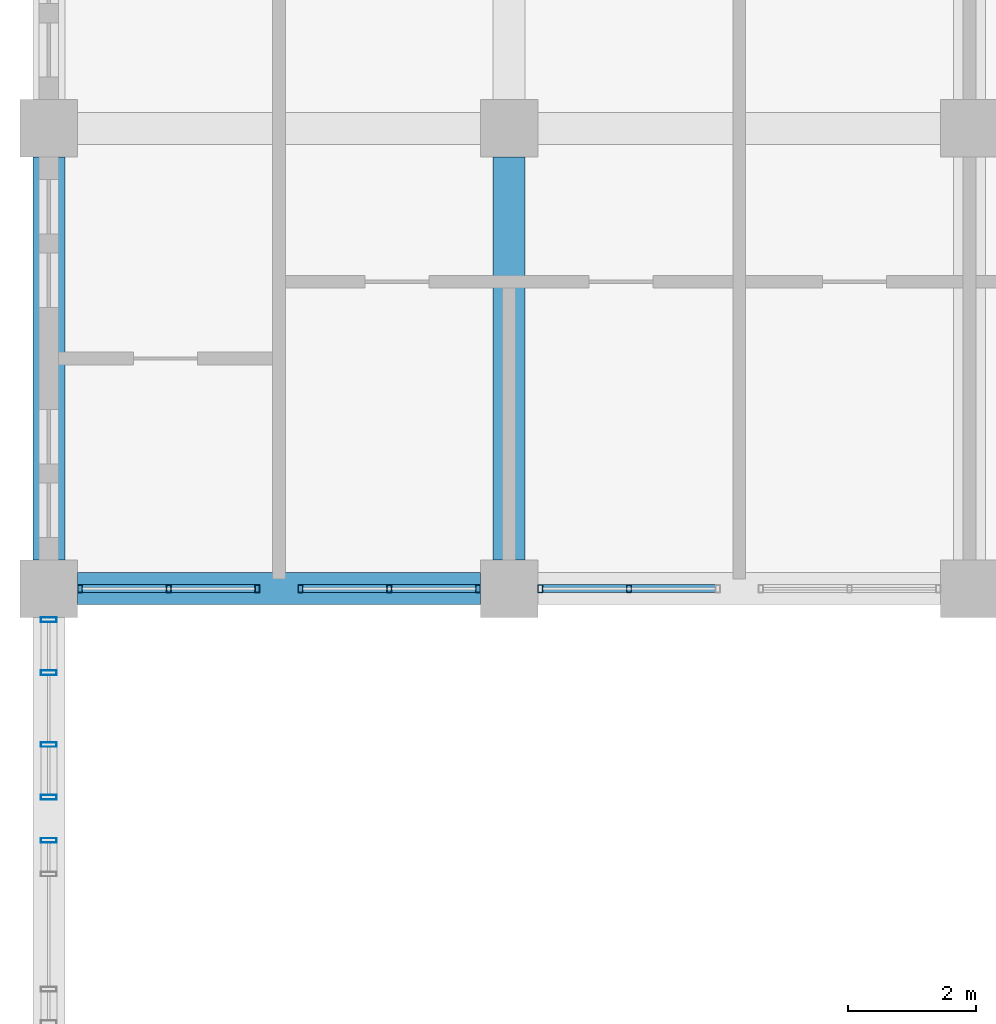
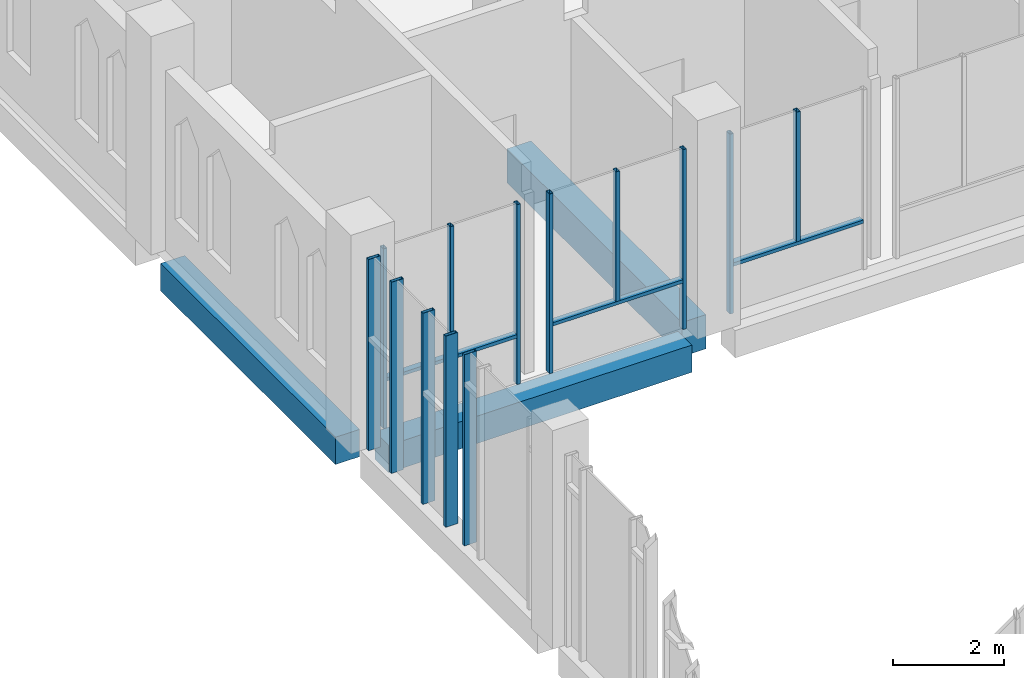
# One storey, part 7 of 39: 16 members, 3 beams, 5 elements without a shape of their own.
"""IFC4 building model written with IfcOpenShell, lengths in metres."""

from ifc_helpers import new_model, si_unit, direction, frame, origin, origin_2d, place, context, subcontext, project, spatial, rectangle, hollow_rectangle, extrude, material, material_profile, profile_set, type_object, element, aggregate, save


model = new_model("IFC4")

# Units and contexts
model_context = context("Model", 3, precision=1e-05, world=origin(), true_north=direction((0.0, 1.0)))
body_context = subcontext(model_context, "Body", "Model", "MODEL_VIEW")
ifc_project = project(units=[si_unit("LENGTHUNIT", "METRE"), si_unit("AREAUNIT", "SQUARE_METRE"), si_unit("VOLUMEUNIT", "CUBIC_METRE"), si_unit("PLANEANGLEUNIT", "RADIAN"), si_unit("MASSUNIT", "GRAM", prefix="KILO")], contexts=[model_context])

# Site, building, storey
site_placement = place(None, origin())
site = spatial("IfcSite", under=ifc_project, at=site_placement, CompositionType="ELEMENT")
building_placement = place(site_placement, origin())
building = spatial("IfcBuilding", under=site, at=building_placement, Name="Silangan Lancet Faculty of Sciences", CompositionType="ELEMENT")
storey_placement = place(building_placement, frame((0.0, 0.0, 26.39990234375)))
storey = spatial("IfcBuildingStorey", under=building, at=storey_placement, Name="L05", CompositionType="ELEMENT", Elevation=26.39990234375)

# Beams
ifc_material_1 = material(Name="Concrete C40/50", Category="concrete")
ifc_material_profile_1 = material_profile(ifc_material_1, rectangle(XDim=0.5, YDim=0.60009765625, at=origin_2d()), Name="RC 500x600")
ifc_profile_set_1 = profile_set([ifc_material_profile_1], Name="Concrete C40/50")
beam_type_1 = type_object("IfcBeamType", Name="BEAM RC 500x600", PredefinedType="BEAM", material=ifc_profile_set_1)
for number, where, z_axis, x_axis, name in (
    (1, (0.449951171875, 36.0, -0.5498046875), (1.0, 0.0, 0.0), (0.0, 1.0, 0.0), "BM-L05-1F-2F"),
    (2, (0.0, 36.449951171875, -0.5498046875), (0.0, 1.0, 0.0), (-1.0, 0.0, 0.0), "BM-L05-1F-1G"),
):
    element("IfcBeam", number, at=place(storey_placement, frame(where, z_axis=z_axis, x_axis=x_axis)), inside=storey, type_object=beam_type_1, Name=name, PredefinedType="BEAM", context=body_context, shape_type="SweptSolid", body=[
        extrude(rectangle(XDim=0.5, YDim=0.60009765625, at=origin_2d()), origin(), (0.0, 0.0, 1.0), 6.300048828125),
    ])
ifc_material_2 = material(Name="Concrete C40/50", Category="concrete")
ifc_material_profile_2 = material_profile(ifc_material_2, rectangle(XDim=0.5, YDim=0.75, at=origin_2d()), Name="RC 500x750")
ifc_profile_set_2 = profile_set([ifc_material_profile_2], Name="Concrete C40/50")
beam_type_2 = type_object("IfcBeamType", Name="BEAM RC 500x750", PredefinedType="BEAM", material=ifc_profile_set_2)
beam_placement = place(storey_placement, frame((7.199951171875, 36.449951171875, -0.625), z_axis=(0.0, 1.0, 0.0), x_axis=(-1.0, 0.0, 0.0)))
element("IfcBeam", 3, at=beam_placement, inside=storey, type_object=beam_type_2, Name="BM-L05-2F-2G", PredefinedType="BEAM", context=body_context, shape_type="SweptSolid", body=[
    extrude(rectangle(XDim=0.5, YDim=0.75, at=origin_2d()), origin(), (0.0, 0.0, 1.0), 6.300048828125),
])

# Curtain wall, members
ifc_material_3 = material(Name="Aluminium framed curtain wall with insulated glass", Category="aluminium")
curtain_wall_type_1 = type_object("IfcCurtainWallType", Name="CW2 Atrium fire-resisting screen", PredefinedType="NOTDEFINED", material=ifc_material_3)
curtain_wall_1_placement = place(storey_placement, origin())
curtain_wall_1 = element("IfcCurtainWall", 4, at=curtain_wall_1_placement, inside=storey, type_object=curtain_wall_type_1, Name="CW2 Atrium north L05 bay 1", PredefinedType="NOTDEFINED")
ifc_material_4 = material(Name="Steel S355J2H", Category="steel")
ifc_material_profile_3 = material_profile(ifc_material_4, hollow_rectangle(XDim=0.074951171875, YDim=0.125, WallThickness=0.0048828125, at=origin_2d()), Name="ST BOX 75x125x5")
ifc_profile_set_3 = profile_set([ifc_material_profile_3], Name="Steel S355J2H")
member_type_1 = type_object("IfcMemberType", Name="CM2 Mullion 75x125", PredefinedType="MULLION", material=ifc_profile_set_3)
member_1_placement = place(storey_placement, frame((0.487548828125, 36.0, 0.0), z_axis=(0.0, 0.0, 1.0), x_axis=(1.0, 0.0, 0.0)))
member_1 = element("IfcMember", 5, at=member_1_placement, type_object=member_type_1, Name="CW2 Atrium north L05 bay 1 mullion 1", PredefinedType="MULLION", context=body_context, shape_type="SweptSolid", body=[
    extrude(hollow_rectangle(XDim=0.074951171875, YDim=0.125, WallThickness=0.0048828125, at=origin_2d()), origin(), (0.0, 0.0, 1.0), 3.9501953125),
])
member_2_placement = place(storey_placement, frame((3.2626953125, 36.0, 0.0), z_axis=(0.0, 0.0, 1.0), x_axis=(1.0, 0.0, 0.0)))
member_2 = element("IfcMember", 6, at=member_2_placement, type_object=member_type_1, Name="CW2 Atrium north L05 bay 1 mullion 2", PredefinedType="MULLION", context=body_context, shape_type="SweptSolid", body=[
    extrude(hollow_rectangle(XDim=0.074951171875, YDim=0.125, WallThickness=0.0048828125, at=origin_2d()), origin(), (0.0, 0.0, 1.0), 3.9501953125),
])
member_3_placement = place(storey_placement, frame((1.875, 36.0, 1.10009765625), z_axis=(0.0, 0.0, 1.0), x_axis=(1.0, 0.0, 0.0)))
member_3 = element("IfcMember", 7, at=member_3_placement, type_object=member_type_1, Name="CW2 Atrium north L05 bay 1 mullion 3", PredefinedType="MULLION", context=body_context, shape_type="SweptSolid", body=[
    extrude(hollow_rectangle(XDim=0.074951171875, YDim=0.125, WallThickness=0.0048828125, at=origin_2d()), origin(), (0.0, 0.0, 1.0), 2.85009765625),
])

curtain_wall_2_placement = place(storey_placement, origin())
curtain_wall_2 = element("IfcCurtainWall", 8, at=curtain_wall_2_placement, inside=storey, type_object=curtain_wall_type_1, Name="CW2 Atrium north L05 bay 2", PredefinedType="NOTDEFINED")
member_4_placement = place(storey_placement, frame((3.9375, 36.0, 0.0), z_axis=(0.0, 0.0, 1.0), x_axis=(1.0, 0.0, 0.0)))
member_4 = element("IfcMember", 9, at=member_4_placement, type_object=member_type_1, Name="CW2 Atrium north L05 bay 2 mullion 1", PredefinedType="MULLION", context=body_context, shape_type="SweptSolid", body=[
    extrude(hollow_rectangle(XDim=0.074951171875, YDim=0.125, WallThickness=0.0048828125, at=origin_2d()), origin(), (0.0, 0.0, 1.0), 3.9501953125),
])
member_5_placement = place(storey_placement, frame((6.71240234375, 36.0, 0.0), z_axis=(0.0, 0.0, 1.0), x_axis=(1.0, 0.0, 0.0)))
member_5 = element("IfcMember", 10, at=member_5_placement, type_object=member_type_1, Name="CW2 Atrium north L05 bay 2 mullion 2", PredefinedType="MULLION", context=body_context, shape_type="SweptSolid", body=[
    extrude(hollow_rectangle(XDim=0.074951171875, YDim=0.125, WallThickness=0.0048828125, at=origin_2d()), origin(), (0.0, 0.0, 1.0), 3.9501953125),
])
member_6_placement = place(storey_placement, frame((5.324951171875, 36.0, 1.10009765625), z_axis=(0.0, 0.0, 1.0), x_axis=(1.0, 0.0, 0.0)))
member_6 = element("IfcMember", 11, at=member_6_placement, type_object=member_type_1, Name="CW2 Atrium north L05 bay 2 mullion 3", PredefinedType="MULLION", context=body_context, shape_type="SweptSolid", body=[
    extrude(hollow_rectangle(XDim=0.074951171875, YDim=0.125, WallThickness=0.0048828125, at=origin_2d()), origin(), (0.0, 0.0, 1.0), 2.85009765625),
])

curtain_wall_3_placement = place(storey_placement, origin())
curtain_wall_3 = element("IfcCurtainWall", 12, at=curtain_wall_3_placement, inside=storey, type_object=curtain_wall_type_1, Name="CW2 Atrium north L05 bay 3", PredefinedType="NOTDEFINED")
member_7_placement = place(storey_placement, frame((7.6875, 36.0, 0.0), z_axis=(0.0, 0.0, 1.0), x_axis=(1.0, 0.0, 0.0)))
member_7 = element("IfcMember", 13, at=member_7_placement, type_object=member_type_1, Name="CW2 Atrium north L05 bay 3 mullion 1", PredefinedType="MULLION", context=body_context, shape_type="SweptSolid", body=[
    extrude(hollow_rectangle(XDim=0.074951171875, YDim=0.125, WallThickness=0.0048828125, at=origin_2d()), origin(), (0.0, 0.0, 1.0), 3.9501953125),
])
member_8_placement = place(storey_placement, frame((9.074951171875, 36.0, 1.10009765625), z_axis=(0.0, 0.0, 1.0), x_axis=(1.0, 0.0, 0.0)))
member_8 = element("IfcMember", 14, at=member_8_placement, type_object=member_type_1, Name="CW2 Atrium north L05 bay 3 mullion 3", PredefinedType="MULLION", context=body_context, shape_type="SweptSolid", body=[
    extrude(hollow_rectangle(XDim=0.074951171875, YDim=0.125, WallThickness=0.0048828125, at=origin_2d()), origin(), (0.0, 0.0, 1.0), 2.85009765625),
])

# Curtain wall, member
ifc_material_5 = material(Name="Aluminium framed curtain wall with insulated glass", Category="aluminium")
curtain_wall_type_2 = type_object("IfcCurtainWallType", Name="CW6 West window middle bays", PredefinedType="NOTDEFINED", material=ifc_material_5)
curtain_wall_4_placement = place(storey_placement, origin())
curtain_wall_4 = element("IfcCurtainWall", 15, at=curtain_wall_4_placement, inside=storey, type_object=curtain_wall_type_2, Name="CW6 West window L05 bay 3", PredefinedType="NOTDEFINED")
ifc_material_6 = material(Name="Aluminium 6063-T6 extrusion", Category="aluminium")
ifc_material_profile_4 = material_profile(ifc_material_6, hollow_rectangle(XDim=0.074951171875, YDim=0.25, WallThickness=0.006103515625, at=origin_2d()), Name="AL BOX 75x250x6")
ifc_profile_set_4 = profile_set([ifc_material_profile_4], Name="Aluminium 6063-T6 extrusion")
member_type_2 = type_object("IfcMemberType", Name="CM3 Mullion 75x250", PredefinedType="MULLION", material=ifc_profile_set_4)
member_9_placement = place(storey_placement, frame((0.0, 32.0625, 0.0), z_axis=(0.0, 0.0, 1.0), x_axis=(0.0, 1.0, 0.0)))
member_9 = element("IfcMember", 16, at=member_9_placement, type_object=member_type_2, Name="CW6 West window L05 bay 3 mullion 2", PredefinedType="MULLION", context=body_context, shape_type="SweptSolid", body=[
    extrude(hollow_rectangle(XDim=0.074951171875, YDim=0.25, WallThickness=0.006103515625, at=origin_2d()), origin(), (0.0, 0.0, 1.0), 4.2001953125),
])
aggregate(curtain_wall_4, [member_9])

# Curtain wall, members
ifc_material_7 = material(Name="Aluminium framed curtain wall with insulated glass", Category="aluminium")
curtain_wall_type_3 = type_object("IfcCurtainWallType", Name="CW3 West stepped lancet window", PredefinedType="NOTDEFINED", material=ifc_material_7)
curtain_wall_5_placement = place(storey_placement, origin())
curtain_wall_5 = element("IfcCurtainWall", 17, at=curtain_wall_5_placement, inside=storey, type_object=curtain_wall_type_3, Name="CW3 West window L05 bay 4", PredefinedType="NOTDEFINED")
member_10_placement = place(storey_placement, frame((0.0, 32.7373046875, 0.0), z_axis=(0.0, 0.0, 1.0), x_axis=(0.0, 1.0, 0.0)))
member_10 = element("IfcMember", 18, at=member_10_placement, type_object=member_type_2, Name="CW3 West window L05 bay 4 mullion 1", PredefinedType="MULLION", context=body_context, shape_type="SweptSolid", body=[
    extrude(hollow_rectangle(XDim=0.074951171875, YDim=0.25, WallThickness=0.006103515625, at=origin_2d()), origin(), (0.0, 0.0, 1.0), 4.2001953125),
])
member_11_placement = place(storey_placement, frame((0.0, 35.512451171875, 0.0), z_axis=(0.0, 0.0, 1.0), x_axis=(0.0, 1.0, 0.0)))
member_11 = element("IfcMember", 19, at=member_11_placement, type_object=member_type_2, Name="CW3 West window L05 bay 4 mullion 2", PredefinedType="MULLION", context=body_context, shape_type="SweptSolid", body=[
    extrude(hollow_rectangle(XDim=0.074951171875, YDim=0.25, WallThickness=0.006103515625, at=origin_2d()), origin(), (0.0, 0.0, 1.0), 4.2001953125),
])
member_12_placement = place(storey_placement, frame((0.0, 33.5625, 0.0), z_axis=(0.0, 0.0, 1.0), x_axis=(0.0, 1.0, 0.0)))
member_12 = element("IfcMember", 20, at=member_12_placement, type_object=member_type_2, Name="CW3 West window L05 bay 4 mullion 3", PredefinedType="MULLION", context=body_context, shape_type="SweptSolid", body=[
    extrude(hollow_rectangle(XDim=0.074951171875, YDim=0.25, WallThickness=0.006103515625, at=origin_2d()), origin(), (0.0, 0.0, 1.0), 4.2001953125),
])
member_13_placement = place(storey_placement, frame((0.0, 34.6875, 0.0), z_axis=(0.0, 0.0, 1.0), x_axis=(0.0, 1.0, 0.0)))
member_13 = element("IfcMember", 21, at=member_13_placement, type_object=member_type_2, Name="CW3 West window L05 bay 4 mullion 4", PredefinedType="MULLION", context=body_context, shape_type="SweptSolid", body=[
    extrude(hollow_rectangle(XDim=0.074951171875, YDim=0.25, WallThickness=0.006103515625, at=origin_2d()), origin(), (0.0, 0.0, 1.0), 4.2001953125),
])
aggregate(curtain_wall_5, [member_10, member_11, member_12, member_13])

# Member
ifc_material_8 = material(Name="Steel S355J2H", Category="steel")
ifc_material_profile_5 = material_profile(ifc_material_8, hollow_rectangle(XDim=0.125, YDim=0.074951171875, WallThickness=0.0048828125, at=origin_2d()), Name="ST BOX 125x75x5")
ifc_profile_set_5 = profile_set([ifc_material_profile_5], Name="Steel S355J2H")
member_type_3 = type_object("IfcMemberType", Name="CT2 Transom 125x75", PredefinedType="USERDEFINED", material=ifc_profile_set_5)
member_14_placement = place(storey_placement, frame((0.52490234375, 36.0, 1.0625), z_axis=(1.0, 0.0, 0.0), x_axis=(0.0, 1.0, 0.0)))
member_14 = element("IfcMember", 22, at=member_14_placement, type_object=member_type_3, Name="CW2 Atrium north L05 bay 1 transom 1", ObjectType="TRANSOM", PredefinedType="USERDEFINED", context=body_context, shape_type="SweptSolid", body=[
    extrude(hollow_rectangle(XDim=0.125, YDim=0.074951171875, WallThickness=0.0048828125, at=origin_2d()), origin(), (0.0, 0.0, 1.0), 2.7001953125),
])

aggregate(curtain_wall_1, [member_1, member_2, member_3, member_14])

member_15_placement = place(storey_placement, frame((3.97509765625, 36.0, 1.0625), z_axis=(1.0, 0.0, 0.0), x_axis=(0.0, 1.0, 0.0)))
member_15 = element("IfcMember", 23, at=member_15_placement, type_object=member_type_3, Name="CW2 Atrium north L05 bay 2 transom 1", ObjectType="TRANSOM", PredefinedType="USERDEFINED", context=body_context, shape_type="SweptSolid", body=[
    extrude(hollow_rectangle(XDim=0.125, YDim=0.074951171875, WallThickness=0.0048828125, at=origin_2d()), origin(), (0.0, 0.0, 1.0), 2.699951171875),
])

aggregate(curtain_wall_2, [member_4, member_5, member_6, member_15])

member_16_placement = place(storey_placement, frame((7.72509765625, 36.0, 1.0625), z_axis=(1.0, 0.0, 0.0), x_axis=(0.0, 1.0, 0.0)))
member_16 = element("IfcMember", 24, at=member_16_placement, type_object=member_type_3, Name="CW2 Atrium north L05 bay 3 transom 1", ObjectType="TRANSOM", PredefinedType="USERDEFINED", context=body_context, shape_type="SweptSolid", body=[
    extrude(hollow_rectangle(XDim=0.125, YDim=0.074951171875, WallThickness=0.0048828125, at=origin_2d()), origin(), (0.0, 0.0, 1.0), 2.699951171875),
])

aggregate(curtain_wall_3, [member_7, member_8, member_16])

save(model, "model.ifc")
